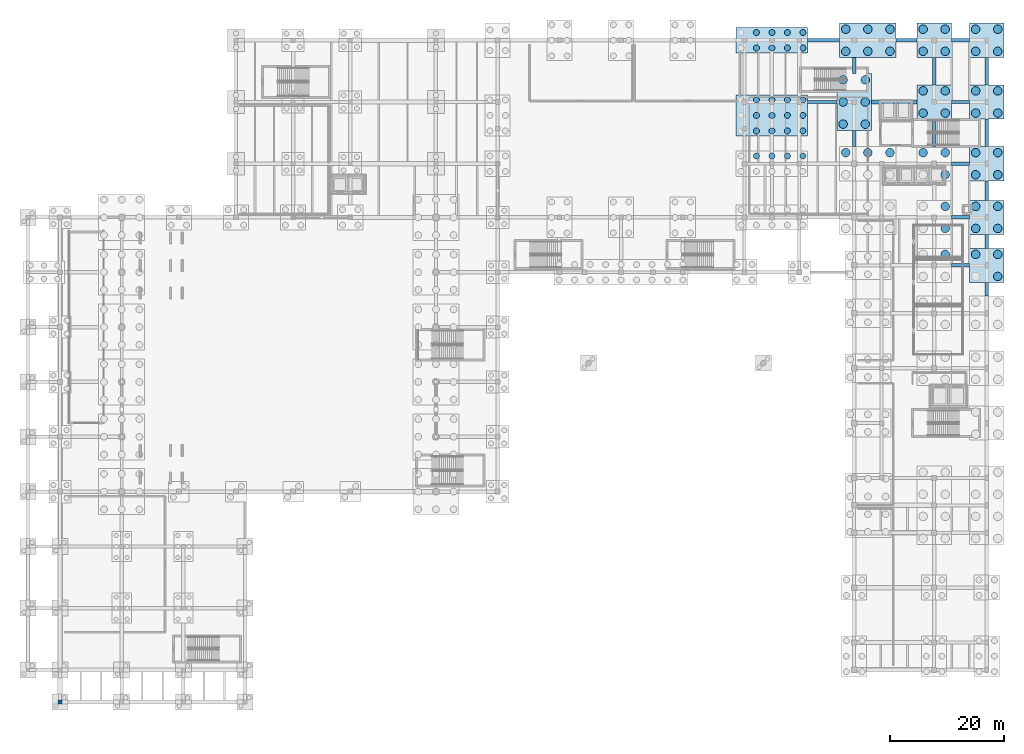
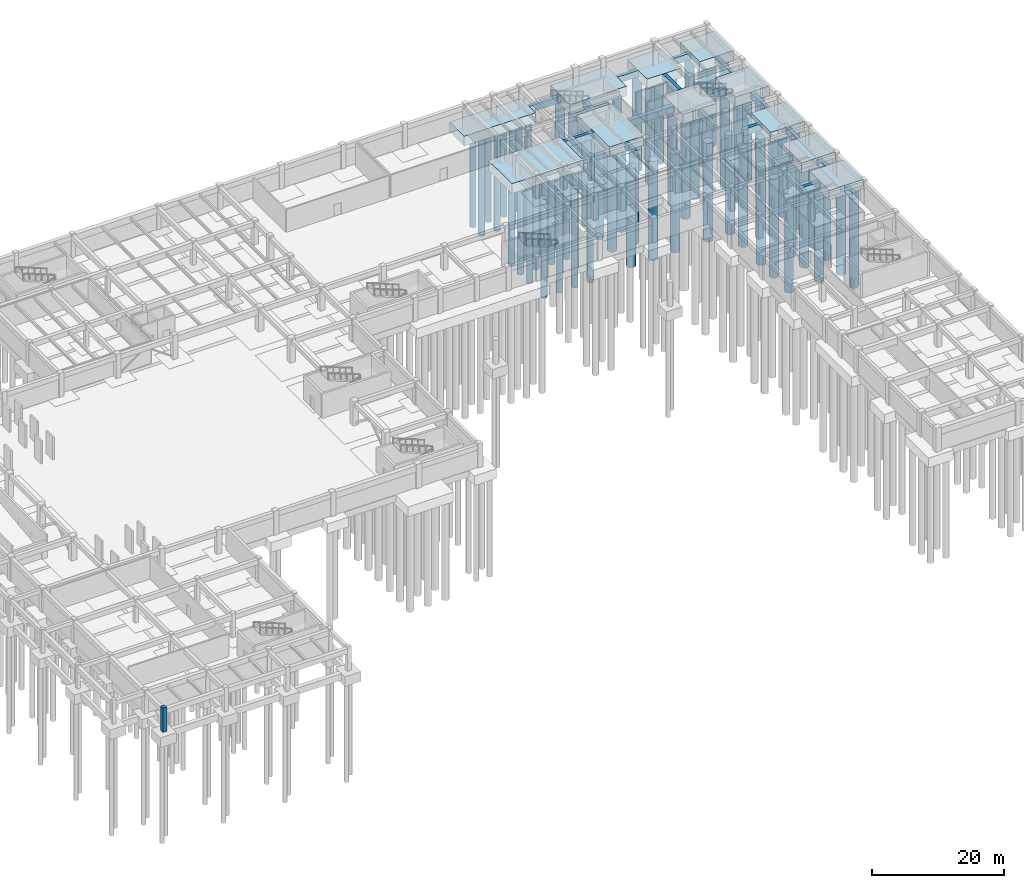
# One storey, part 6 of 33: 72 piles, 29 footings, 1 column.
"""IFC4 building model written with IfcOpenShell, lengths in metres."""

from ifc_helpers import new_model, si_unit, direction, frame, origin, origin_2d, place, context, subcontext, project, spatial, rectangle, circle, extrude, material, material_profile, profile_set, type_object, element, save


model = new_model("IFC4")

# Units and contexts
model_context = context("Model", 3, precision=1e-05, world=origin(), true_north=direction((0.0, 1.0)))
body_context = subcontext(model_context, "Body", "Model", "MODEL_VIEW")
ifc_project = project(units=[si_unit("LENGTHUNIT", "METRE"), si_unit("AREAUNIT", "SQUARE_METRE"), si_unit("VOLUMEUNIT", "CUBIC_METRE"), si_unit("PLANEANGLEUNIT", "RADIAN"), si_unit("MASSUNIT", "GRAM", prefix="KILO")], contexts=[model_context])

# Site, building, storey
site_placement = place(None, origin())
site = spatial("IfcSite", under=ifc_project, at=site_placement, CompositionType="ELEMENT")
building_placement = place(site_placement, origin())
building = spatial("IfcBuilding", under=site, at=building_placement, Name="Veldera Park Congress Hotel", CompositionType="ELEMENT")
storey_placement = place(building_placement, frame((0.0, 0.0, -4.5)))
storey = spatial("IfcBuildingStorey", under=building, at=storey_placement, Name="B1", CompositionType="ELEMENT", Elevation=-4.5)

# Footings
ifc_material = material(Name="Concrete f'c 40 MPa (5,800 psi)", Category="concrete")
footing_type_1 = type_object("IfcFootingType", Name="FB-600X1200", PredefinedType="FOOTING_BEAM", material=ifc_material)
for number, where, z_axis, x_axis, name in (
    (1, (79.39990234375, 18.60009765625, -1.2001953125), (0.0, 0.0, 1.0), (1.0, 0.0, 0.0), "Foundation Tie Beam FB-600X1200 49"),
    (2, (79.39990234375, 27.0, -1.2001953125), (0.0, 0.0, 1.0), (1.0, 0.0, 0.0), "Foundation Tie Beam FB-600X1200 64"),
    (3, (79.39990234375, 36.39990234375, -1.2001953125), (0.0, 0.0, 1.0), (1.0, 0.0, 0.0), "Foundation Tie Beam FB-600X1200 71"),
):
    element("IfcFooting", number, at=place(storey_placement, frame(where, z_axis=z_axis, x_axis=x_axis)), inside=storey, type_object=footing_type_1, Name=name, PredefinedType="FOOTING_BEAM", context=body_context, shape_type="SweptSolid", body=[
        extrude(rectangle(XDim=3.199951171875, YDim=0.60009765625, at=origin_2d()), origin(), (0.0, 0.0, 1.0), 1.199951171875),
    ])
footing_1_placement = place(storey_placement, frame((55.237548828125, 47.199951171875, -1.2001953125), z_axis=(0.0, 0.0, 1.0), x_axis=(1.0, 0.0, 0.0)))
element("IfcFooting", 4, at=footing_1_placement, inside=storey, type_object=footing_type_1, Name="Foundation Tie Beam FB-600X1200 76", PredefinedType="FOOTING_BEAM", context=body_context, shape_type="SweptSolid", body=[
    extrude(rectangle(XDim=5.125, YDim=0.60009765625, at=origin_2d()), origin(), (0.0, 0.0, 1.0), 1.199951171875),
])
footing_2_placement = place(storey_placement, frame((79.39990234375, 47.199951171875, -1.2001953125), z_axis=(0.0, 0.0, 1.0), x_axis=(1.0, 0.0, 0.0)))
element("IfcFooting", 5, at=footing_2_placement, inside=storey, type_object=footing_type_1, Name="Foundation Tie Beam FB-600X1200 78", PredefinedType="FOOTING_BEAM", context=body_context, shape_type="SweptSolid", body=[
    extrude(rectangle(XDim=3.199951171875, YDim=0.60009765625, at=origin_2d()), origin(), (0.0, 0.0, 1.0), 1.199951171875),
])
footing_3_placement = place(storey_placement, frame((55.46240234375, 58.0, -1.2001953125), z_axis=(0.0, 0.0, 1.0), x_axis=(1.0, 0.0, 0.0)))
element("IfcFooting", 6, at=footing_3_placement, inside=storey, type_object=footing_type_1, Name="Foundation Tie Beam FB-600X1200 87", PredefinedType="FOOTING_BEAM", context=body_context, shape_type="SweptSolid", body=[
    extrude(rectangle(XDim=5.574951171875, YDim=0.60009765625, at=origin_2d()), origin(), (0.0, 0.0, 1.0), 1.199951171875),
])
footing_4_placement = place(storey_placement, frame((69.97509765625, 58.0, -1.2001953125), z_axis=(0.0, 0.0, 1.0), x_axis=(1.0, 0.0, 0.0)))
element("IfcFooting", 7, at=footing_4_placement, inside=storey, type_object=footing_type_1, Name="Foundation Tie Beam FB-600X1200 88", PredefinedType="FOOTING_BEAM", context=body_context, shape_type="SweptSolid", body=[
    extrude(rectangle(XDim=3.64990234375, YDim=0.60009765625, at=origin_2d()), origin(), (0.0, 0.0, 1.0), 1.199951171875),
])
footing_5_placement = place(storey_placement, frame((79.39990234375, 58.0, -1.2001953125), z_axis=(0.0, 0.0, 1.0), x_axis=(1.0, 0.0, 0.0)))
element("IfcFooting", 8, at=footing_5_placement, inside=storey, type_object=footing_type_1, Name="Foundation Tie Beam FB-600X1200 89", PredefinedType="FOOTING_BEAM", context=body_context, shape_type="SweptSolid", body=[
    extrude(rectangle(XDim=3.199951171875, YDim=0.60009765625, at=origin_2d()), origin(), (0.0, 0.0, 1.0), 1.199951171875),
])
for number, where, z_axis, x_axis, name in (
    (9, (60.800048828125, 40.83740234375, -1.2001953125), (0.0, 0.0, 1.0), (0.0, 1.0, 0.0), "Foundation Tie Beam FB-600X1200 144"),
    (10, (60.800048828125, 53.5625, -1.2001953125), (0.0, 0.0, 1.0), (0.0, 1.0, 0.0), "Foundation Tie Beam FB-600X1200 145"),
):
    element("IfcFooting", number, at=place(storey_placement, frame(where, z_axis=z_axis, x_axis=x_axis)), inside=storey, type_object=footing_type_1, Name=name, PredefinedType="FOOTING_BEAM", context=body_context, shape_type="SweptSolid", body=[
        extrude(rectangle(XDim=2.824951171875, YDim=0.60009765625, at=origin_2d()), origin(), (0.0, 0.0, 1.0), 1.199951171875),
    ])
for number, where, z_axis, x_axis, name in (
    (11, (74.800048828125, 41.800048828125, -1.2001953125), (0.0, 0.0, 1.0), (0.0, 1.0, 0.0), "Foundation Tie Beam FB-600X1200 152"),
    (12, (74.800048828125, 52.60009765625, -1.2001953125), (0.0, 0.0, 1.0), (0.0, 1.0, 0.0), "Foundation Tie Beam FB-600X1200 153"),
):
    element("IfcFooting", number, at=place(storey_placement, frame(where, z_axis=z_axis, x_axis=x_axis)), inside=storey, type_object=footing_type_1, Name=name, PredefinedType="FOOTING_BEAM", context=body_context, shape_type="SweptSolid", body=[
        extrude(rectangle(XDim=4.800048828125, YDim=0.60009765625, at=origin_2d()), origin(), (0.0, 0.0, 1.0), 1.199951171875),
    ])
for number, where, z_axis, x_axis, name in (
    (13, (84.0, 14.39990234375, -1.2001953125), (0.0, 0.0, 1.0), (0.0, 1.0, 0.0), "Foundation Tie Beam FB-600X1200 159"),
    (14, (84.0, 22.800048828125, -1.2001953125), (0.0, 0.0, 1.0), (0.0, 1.0, 0.0), "Foundation Tie Beam FB-600X1200 160"),
):
    element("IfcFooting", number, at=place(storey_placement, frame(where, z_axis=z_axis, x_axis=x_axis)), inside=storey, type_object=footing_type_1, Name=name, PredefinedType="FOOTING_BEAM", context=body_context, shape_type="SweptSolid", body=[
        extrude(rectangle(XDim=2.39990234375, YDim=0.60009765625, at=origin_2d()), origin(), (0.0, 0.0, 1.0), 1.199951171875),
    ])
footing_6_placement = place(storey_placement, frame((84.0, 31.699951171875, -1.2001953125), z_axis=(0.0, 0.0, 1.0), x_axis=(0.0, 1.0, 0.0)))
element("IfcFooting", 15, at=footing_6_placement, inside=storey, type_object=footing_type_1, Name="Foundation Tie Beam FB-600X1200 161", PredefinedType="FOOTING_BEAM", context=body_context, shape_type="SweptSolid", body=[
    extrude(rectangle(XDim=3.39990234375, YDim=0.60009765625, at=origin_2d()), origin(), (0.0, 0.0, 1.0), 1.199951171875),
])
for number, where, z_axis, x_axis, name in (
    (16, (84.0, 41.800048828125, -1.2001953125), (0.0, 0.0, 1.0), (0.0, 1.0, 0.0), "Foundation Tie Beam FB-600X1200 162"),
    (17, (84.0, 52.60009765625, -1.2001953125), (0.0, 0.0, 1.0), (0.0, 1.0, 0.0), "Foundation Tie Beam FB-600X1200 163"),
):
    element("IfcFooting", number, at=place(storey_placement, frame(where, z_axis=z_axis, x_axis=x_axis)), inside=storey, type_object=footing_type_1, Name=name, PredefinedType="FOOTING_BEAM", context=body_context, shape_type="SweptSolid", body=[
        extrude(rectangle(XDim=4.800048828125, YDim=0.60009765625, at=origin_2d()), origin(), (0.0, 0.0, 1.0), 1.199951171875),
    ])
footing_type_2 = type_object("IfcFootingType", Name="FB-750X1200", PredefinedType="FOOTING_BEAM", material=ifc_material)
footing_7_placement = place(storey_placement, frame((67.800048828125, 47.199951171875, -1.2001953125), z_axis=(0.0, 0.0, 1.0), x_axis=(1.0, 0.0, 0.0)))
element("IfcFooting", 18, at=footing_7_placement, inside=storey, type_object=footing_type_2, Name="Foundation Tie Beam FB-750X1200 77", PredefinedType="FOOTING_BEAM", context=body_context, shape_type="SweptSolid", body=[
    extrude(rectangle(XDim=8.0, YDim=0.75, at=origin_2d()), origin(), (0.0, 0.0, 1.0), 1.199951171875),
])
footing_type_3 = type_object("IfcFootingType", Name="PC-1255X440", PredefinedType="PILE_CAP", material=ifc_material)
footing_8_placement = place(storey_placement, frame((46.39990234375, 58.0, -1.7998046875), z_axis=(0.0, 0.0, 1.0), x_axis=(1.0, 0.0, 0.0)))
element("IfcFooting", 19, at=footing_8_placement, inside=storey, type_object=footing_type_3, Name="Pile Cap PC-1255X440 at (46.4, 58.0)", PredefinedType="PILE_CAP", context=body_context, shape_type="SweptSolid", body=[
    extrude(rectangle(XDim=12.550048828125, YDim=4.39990234375, at=origin_2d()), origin(), (0.0, 0.0, 1.0), 1.800048828125),
])
footing_type_4 = type_object("IfcFootingType", Name="PC-1255X715", PredefinedType="PILE_CAP", material=ifc_material)
footing_9_placement = place(storey_placement, frame((46.39990234375, 44.85009765625, -1.7998046875), z_axis=(0.0, 0.0, 1.0), x_axis=(1.0, 0.0, 0.0)))
element("IfcFooting", 20, at=footing_9_placement, inside=storey, type_object=footing_type_4, Name="Pile Cap PC-1255X715 at (46.4, 44.9)", PredefinedType="PILE_CAP", context=body_context, shape_type="SweptSolid", body=[
    extrude(rectangle(XDim=12.550048828125, YDim=7.14990234375, at=origin_2d()), origin(), (0.0, 0.0, 1.0), 1.800048828125),
])
footing_type_5 = type_object("IfcFootingType", Name="PC-600", PredefinedType="PILE_CAP", material=ifc_material)
for number, where, z_axis, x_axis, name in (
    (21, (74.800048828125, 47.199951171875, -1.7998046875), (0.0, 0.0, 1.0), (1.0, 0.0, 0.0), "Pile Cap PC-600 at (74.8, 47.2)"),
    (22, (74.800048828125, 58.0, -1.7998046875), (0.0, 0.0, 1.0), (1.0, 0.0, 0.0), "Pile Cap PC-600 at (74.8, 58.0)"),
    (23, (84.0, 18.60009765625, -1.7998046875), (0.0, 0.0, 1.0), (1.0, 0.0, 0.0), "Pile Cap PC-600 at (84.0, 18.6)"),
    (24, (84.0, 27.0, -1.7998046875), (0.0, 0.0, 1.0), (1.0, 0.0, 0.0), "Pile Cap PC-600 at (84.0, 27.0)"),
    (25, (84.0, 36.39990234375, -1.7998046875), (0.0, 0.0, 1.0), (1.0, 0.0, 0.0), "Pile Cap PC-600 at (84.0, 36.4)"),
    (26, (84.0, 47.199951171875, -1.7998046875), (0.0, 0.0, 1.0), (1.0, 0.0, 0.0), "Pile Cap PC-600 at (84.0, 47.2)"),
    (27, (84.0, 58.0, -1.7998046875), (0.0, 0.0, 1.0), (1.0, 0.0, 0.0), "Pile Cap PC-600 at (84.0, 58.0)"),
):
    element("IfcFooting", number, at=place(storey_placement, frame(where, z_axis=z_axis, x_axis=x_axis)), inside=storey, type_object=footing_type_5, Name=name, PredefinedType="PILE_CAP", context=body_context, shape_type="SweptSolid", body=[
        extrude(rectangle(XDim=6.0, YDim=6.0, at=origin_2d()), origin(), (0.0, 0.0, 1.0), 1.800048828125),
    ])
footing_type_6 = type_object("IfcFootingType", Name="PC-600X990", PredefinedType="PILE_CAP", material=ifc_material)
footing_10_placement = place(storey_placement, frame((60.800048828125, 47.199951171875, -1.7998046875), z_axis=(0.0, 0.0, 1.0), x_axis=(1.0, 0.0, 0.0)))
element("IfcFooting", 28, at=footing_10_placement, inside=storey, type_object=footing_type_6, Name="Pile Cap PC-600X990 at (60.8, 47.2)", PredefinedType="PILE_CAP", context=body_context, shape_type="SweptSolid", body=[
    extrude(rectangle(XDim=6.0, YDim=9.89990234375, at=origin_2d()), origin(), (0.0, 0.0, 1.0), 1.800048828125),
])
footing_type_7 = type_object("IfcFootingType", Name="PC-990X605", PredefinedType="PILE_CAP", material=ifc_material)
footing_11_placement = place(storey_placement, frame((63.199951171875, 58.0, -1.7998046875), z_axis=(0.0, 0.0, 1.0), x_axis=(1.0, 0.0, 0.0)))
element("IfcFooting", 29, at=footing_11_placement, inside=storey, type_object=footing_type_7, Name="Pile Cap PC-990X605 at (63.2, 58.0)", PredefinedType="PILE_CAP", context=body_context, shape_type="SweptSolid", body=[
    extrude(rectangle(XDim=9.89990234375, YDim=6.050048828125, at=origin_2d()), origin(), (0.0, 0.0, 1.0), 1.800048828125),
])

# Piles
ifc_material_profile_1 = material_profile(ifc_material, circle(Radius=0.52490234375, at=origin_2d()), Name="PILE D1050")
ifc_profile_set_1 = profile_set([ifc_material_profile_1], Name="Concrete f'c 40 MPa (5,800 psi)")
pile_type_1 = type_object("IfcPileType", Name="PIL-1050", PredefinedType="BORED", material=ifc_profile_set_1)
for number, where, z_axis, x_axis, name in (
    (30, (43.69091796875, 37.75439453125, -1.64990234375), (0.0, 0.0, -1.0), (1.0, 0.0, 0.0), "Bored Pile PIL-1050 370"),
    (31, (46.39990234375, 37.75439453125, -1.64990234375), (0.0, 0.0, -1.0), (1.0, 0.0, 0.0), "Bored Pile PIL-1050 372"),
    (32, (49.10888671875, 37.75439453125, -1.64990234375), (0.0, 0.0, -1.0), (1.0, 0.0, 0.0), "Bored Pile PIL-1050 374"),
    (33, (51.818115234375, 37.75439453125, -1.64990234375), (0.0, 0.0, -1.0), (1.0, 0.0, 0.0), "Bored Pile PIL-1050 376"),
    (34, (43.69091796875, 42.14111328125, -1.64990234375), (0.0, 0.0, -1.0), (1.0, 0.0, 0.0), "Bored Pile PIL-1050 380"),
    (35, (43.69091796875, 44.85009765625, -1.64990234375), (0.0, 0.0, -1.0), (1.0, 0.0, 0.0), "Bored Pile PIL-1050 381"),
    (36, (43.69091796875, 47.55908203125, -1.64990234375), (0.0, 0.0, -1.0), (1.0, 0.0, 0.0), "Bored Pile PIL-1050 382"),
    (37, (46.39990234375, 42.14111328125, -1.64990234375), (0.0, 0.0, -1.0), (1.0, 0.0, 0.0), "Bored Pile PIL-1050 383"),
    (38, (46.39990234375, 44.85009765625, -1.64990234375), (0.0, 0.0, -1.0), (1.0, 0.0, 0.0), "Bored Pile PIL-1050 384"),
    (39, (46.39990234375, 47.55908203125, -1.64990234375), (0.0, 0.0, -1.0), (1.0, 0.0, 0.0), "Bored Pile PIL-1050 385"),
    (40, (49.10888671875, 42.14111328125, -1.64990234375), (0.0, 0.0, -1.0), (1.0, 0.0, 0.0), "Bored Pile PIL-1050 386"),
    (41, (49.10888671875, 44.85009765625, -1.64990234375), (0.0, 0.0, -1.0), (1.0, 0.0, 0.0), "Bored Pile PIL-1050 387"),
    (42, (49.10888671875, 47.55908203125, -1.64990234375), (0.0, 0.0, -1.0), (1.0, 0.0, 0.0), "Bored Pile PIL-1050 388"),
    (43, (51.818115234375, 42.14111328125, -1.64990234375), (0.0, 0.0, -1.0), (1.0, 0.0, 0.0), "Bored Pile PIL-1050 389"),
    (44, (51.818115234375, 44.85009765625, -1.64990234375), (0.0, 0.0, -1.0), (1.0, 0.0, 0.0), "Bored Pile PIL-1050 390"),
    (45, (51.818115234375, 47.55908203125, -1.64990234375), (0.0, 0.0, -1.0), (1.0, 0.0, 0.0), "Bored Pile PIL-1050 391"),
    (46, (43.69091796875, 56.6455078125, -1.64990234375), (0.0, 0.0, -1.0), (1.0, 0.0, 0.0), "Bored Pile PIL-1050 394"),
    (47, (43.69091796875, 59.3544921875, -1.64990234375), (0.0, 0.0, -1.0), (1.0, 0.0, 0.0), "Bored Pile PIL-1050 395"),
    (48, (46.39990234375, 56.6455078125, -1.64990234375), (0.0, 0.0, -1.0), (1.0, 0.0, 0.0), "Bored Pile PIL-1050 396"),
    (49, (46.39990234375, 59.3544921875, -1.64990234375), (0.0, 0.0, -1.0), (1.0, 0.0, 0.0), "Bored Pile PIL-1050 397"),
    (50, (49.10888671875, 56.6455078125, -1.64990234375), (0.0, 0.0, -1.0), (1.0, 0.0, 0.0), "Bored Pile PIL-1050 398"),
    (51, (49.10888671875, 59.3544921875, -1.64990234375), (0.0, 0.0, -1.0), (1.0, 0.0, 0.0), "Bored Pile PIL-1050 399"),
    (52, (51.818115234375, 56.6455078125, -1.64990234375), (0.0, 0.0, -1.0), (1.0, 0.0, 0.0), "Bored Pile PIL-1050 400"),
    (53, (51.818115234375, 59.3544921875, -1.64990234375), (0.0, 0.0, -1.0), (1.0, 0.0, 0.0), "Bored Pile PIL-1050 401"),
):
    element("IfcPile", number, at=place(storey_placement, frame(where, z_axis=z_axis, x_axis=x_axis)), inside=storey, type_object=pile_type_1, Name=name, PredefinedType="BORED", context=body_context, shape_type="SweptSolid", body=[
        extrude(circle(Radius=0.52490234375, at=origin_2d()), origin(), (0.0, 0.0, 1.0), 18.35009765625),
    ])
ifc_material_profile_2 = material_profile(ifc_material, circle(Radius=0.75, at=origin_2d()), Name="PILE D1500")
ifc_profile_set_2 = profile_set([ifc_material_profile_2], Name="Concrete f'c 40 MPa (5,800 psi)")
pile_type_2 = type_object("IfcPileType", Name="PIL-1500", PredefinedType="BORED", material=ifc_profile_set_2)
for number, where, z_axis, x_axis, name in (
    (54, (59.330078125, 38.3349609375, -1.64990234375), (0.0, 0.0, -1.0), (1.0, 0.0, 0.0), "Bored Pile PIL-1500 461"),
    (55, (63.199951171875, 38.3349609375, -1.64990234375), (0.0, 0.0, -1.0), (1.0, 0.0, 0.0), "Bored Pile PIL-1500 463"),
    (56, (67.070068359375, 38.3349609375, -1.64990234375), (0.0, 0.0, -1.0), (1.0, 0.0, 0.0), "Bored Pile PIL-1500 465"),
    (57, (58.864990234375, 43.330078125, -1.64990234375), (0.0, 0.0, -1.0), (1.0, 0.0, 0.0), "Bored Pile PIL-1500 466"),
    (58, (62.735107421875, 43.330078125, -1.64990234375), (0.0, 0.0, -1.0), (1.0, 0.0, 0.0), "Bored Pile PIL-1500 467"),
    (59, (58.864990234375, 47.199951171875, -1.64990234375), (0.0, 0.0, -1.0), (1.0, 0.0, 0.0), "Bored Pile PIL-1500 468"),
    (60, (62.735107421875, 47.199951171875, -1.64990234375), (0.0, 0.0, -1.0), (1.0, 0.0, 0.0), "Bored Pile PIL-1500 469"),
    (61, (58.864990234375, 51.070068359375, -1.64990234375), (0.0, 0.0, -1.0), (1.0, 0.0, 0.0), "Bored Pile PIL-1500 470"),
    (62, (62.735107421875, 51.070068359375, -1.64990234375), (0.0, 0.0, -1.0), (1.0, 0.0, 0.0), "Bored Pile PIL-1500 471"),
    (63, (59.330078125, 56.06494140625, -1.64990234375), (0.0, 0.0, -1.0), (1.0, 0.0, 0.0), "Bored Pile PIL-1500 472"),
    (64, (59.330078125, 59.93505859375, -1.64990234375), (0.0, 0.0, -1.0), (1.0, 0.0, 0.0), "Bored Pile PIL-1500 473"),
    (65, (63.199951171875, 56.06494140625, -1.64990234375), (0.0, 0.0, -1.0), (1.0, 0.0, 0.0), "Bored Pile PIL-1500 474"),
    (66, (63.199951171875, 59.93505859375, -1.64990234375), (0.0, 0.0, -1.0), (1.0, 0.0, 0.0), "Bored Pile PIL-1500 475"),
    (67, (67.070068359375, 56.06494140625, -1.64990234375), (0.0, 0.0, -1.0), (1.0, 0.0, 0.0), "Bored Pile PIL-1500 476"),
    (68, (67.070068359375, 59.93505859375, -1.64990234375), (0.0, 0.0, -1.0), (1.0, 0.0, 0.0), "Bored Pile PIL-1500 477"),
    (69, (76.735107421875, 20.534912109375, -1.64990234375), (0.0, 0.0, -1.0), (1.0, 0.0, 0.0), "Bored Pile PIL-1500 507"),
    (70, (76.735107421875, 25.06494140625, -1.64990234375), (0.0, 0.0, -1.0), (1.0, 0.0, 0.0), "Bored Pile PIL-1500 509"),
    (71, (76.735107421875, 28.93505859375, -1.64990234375), (0.0, 0.0, -1.0), (1.0, 0.0, 0.0), "Bored Pile PIL-1500 511"),
    (72, (76.735107421875, 34.465087890625, -1.64990234375), (0.0, 0.0, -1.0), (1.0, 0.0, 0.0), "Bored Pile PIL-1500 513"),
    (73, (72.864990234375, 38.3349609375, -1.64990234375), (0.0, 0.0, -1.0), (1.0, 0.0, 0.0), "Bored Pile PIL-1500 514"),
    (74, (76.735107421875, 38.3349609375, -1.64990234375), (0.0, 0.0, -1.0), (1.0, 0.0, 0.0), "Bored Pile PIL-1500 515"),
    (75, (72.864990234375, 45.264892578125, -1.64990234375), (0.0, 0.0, -1.0), (1.0, 0.0, 0.0), "Bored Pile PIL-1500 516"),
    (76, (76.735107421875, 45.264892578125, -1.64990234375), (0.0, 0.0, -1.0), (1.0, 0.0, 0.0), "Bored Pile PIL-1500 517"),
    (77, (72.864990234375, 49.135009765625, -1.64990234375), (0.0, 0.0, -1.0), (1.0, 0.0, 0.0), "Bored Pile PIL-1500 518"),
    (78, (76.735107421875, 49.135009765625, -1.64990234375), (0.0, 0.0, -1.0), (1.0, 0.0, 0.0), "Bored Pile PIL-1500 519"),
    (79, (72.864990234375, 56.06494140625, -1.64990234375), (0.0, 0.0, -1.0), (1.0, 0.0, 0.0), "Bored Pile PIL-1500 520"),
    (80, (76.735107421875, 56.06494140625, -1.64990234375), (0.0, 0.0, -1.0), (1.0, 0.0, 0.0), "Bored Pile PIL-1500 521"),
    (81, (72.864990234375, 59.93505859375, -1.64990234375), (0.0, 0.0, -1.0), (1.0, 0.0, 0.0), "Bored Pile PIL-1500 522"),
    (82, (76.735107421875, 59.93505859375, -1.64990234375), (0.0, 0.0, -1.0), (1.0, 0.0, 0.0), "Bored Pile PIL-1500 523"),
    (83, (85.93505859375, 16.6650390625, -1.64990234375), (0.0, 0.0, -1.0), (1.0, 0.0, 0.0), "Bored Pile PIL-1500 555"),
    (84, (82.06494140625, 20.534912109375, -1.64990234375), (0.0, 0.0, -1.0), (1.0, 0.0, 0.0), "Bored Pile PIL-1500 556"),
    (85, (85.93505859375, 20.534912109375, -1.64990234375), (0.0, 0.0, -1.0), (1.0, 0.0, 0.0), "Bored Pile PIL-1500 557"),
    (86, (82.06494140625, 25.06494140625, -1.64990234375), (0.0, 0.0, -1.0), (1.0, 0.0, 0.0), "Bored Pile PIL-1500 558"),
    (87, (85.93505859375, 25.06494140625, -1.64990234375), (0.0, 0.0, -1.0), (1.0, 0.0, 0.0), "Bored Pile PIL-1500 559"),
    (88, (82.06494140625, 28.93505859375, -1.64990234375), (0.0, 0.0, -1.0), (1.0, 0.0, 0.0), "Bored Pile PIL-1500 560"),
    (89, (85.93505859375, 28.93505859375, -1.64990234375), (0.0, 0.0, -1.0), (1.0, 0.0, 0.0), "Bored Pile PIL-1500 561"),
    (90, (82.06494140625, 34.465087890625, -1.64990234375), (0.0, 0.0, -1.0), (1.0, 0.0, 0.0), "Bored Pile PIL-1500 562"),
    (91, (85.93505859375, 34.465087890625, -1.64990234375), (0.0, 0.0, -1.0), (1.0, 0.0, 0.0), "Bored Pile PIL-1500 563"),
    (92, (82.06494140625, 38.3349609375, -1.64990234375), (0.0, 0.0, -1.0), (1.0, 0.0, 0.0), "Bored Pile PIL-1500 564"),
    (93, (85.93505859375, 38.3349609375, -1.64990234375), (0.0, 0.0, -1.0), (1.0, 0.0, 0.0), "Bored Pile PIL-1500 565"),
    (94, (82.06494140625, 45.264892578125, -1.64990234375), (0.0, 0.0, -1.0), (1.0, 0.0, 0.0), "Bored Pile PIL-1500 566"),
    (95, (85.93505859375, 45.264892578125, -1.64990234375), (0.0, 0.0, -1.0), (1.0, 0.0, 0.0), "Bored Pile PIL-1500 567"),
    (96, (82.06494140625, 49.135009765625, -1.64990234375), (0.0, 0.0, -1.0), (1.0, 0.0, 0.0), "Bored Pile PIL-1500 568"),
    (97, (85.93505859375, 49.135009765625, -1.64990234375), (0.0, 0.0, -1.0), (1.0, 0.0, 0.0), "Bored Pile PIL-1500 569"),
    (98, (82.06494140625, 56.06494140625, -1.64990234375), (0.0, 0.0, -1.0), (1.0, 0.0, 0.0), "Bored Pile PIL-1500 570"),
    (99, (85.93505859375, 56.06494140625, -1.64990234375), (0.0, 0.0, -1.0), (1.0, 0.0, 0.0), "Bored Pile PIL-1500 571"),
    (100, (82.06494140625, 59.93505859375, -1.64990234375), (0.0, 0.0, -1.0), (1.0, 0.0, 0.0), "Bored Pile PIL-1500 572"),
    (101, (85.93505859375, 59.93505859375, -1.64990234375), (0.0, 0.0, -1.0), (1.0, 0.0, 0.0), "Bored Pile PIL-1500 573"),
):
    element("IfcPile", number, at=place(storey_placement, frame(where, z_axis=z_axis, x_axis=x_axis)), inside=storey, type_object=pile_type_2, Name=name, PredefinedType="BORED", context=body_context, shape_type="SweptSolid", body=[
        extrude(circle(Radius=0.75, at=origin_2d()), origin(), (0.0, 0.0, 1.0), 18.35009765625),
    ])

# Column
ifc_material_profile_3 = material_profile(ifc_material, rectangle(XDim=0.699951171875, YDim=0.699951171875, at=origin_2d()), Name="RC 700x700")
ifc_profile_set_3 = profile_set([ifc_material_profile_3], Name="Concrete f'c 40 MPa (5,800 psi)")
column_type = type_object("IfcColumnType", Name="COL-RC65E", PredefinedType="COLUMN", material=ifc_profile_set_3)
column_placement = place(storey_placement, frame((-78.199951171875, -57.800048828125, 0.0), z_axis=(0.0, 0.0, 1.0), x_axis=(1.0, 0.0, 0.0)))
element("IfcColumn", 102, at=column_placement, inside=storey, type_object=column_type, Name="B1 Column COL-RC65E (-78.2,-57.8)", PredefinedType="COLUMN", context=body_context, shape_type="SweptSolid", body=[
    extrude(rectangle(XDim=0.699951171875, YDim=0.699951171875, at=origin_2d()), origin(), (0.0, 0.0, 1.0), 4.5),
])

save(model, "model.ifc")
